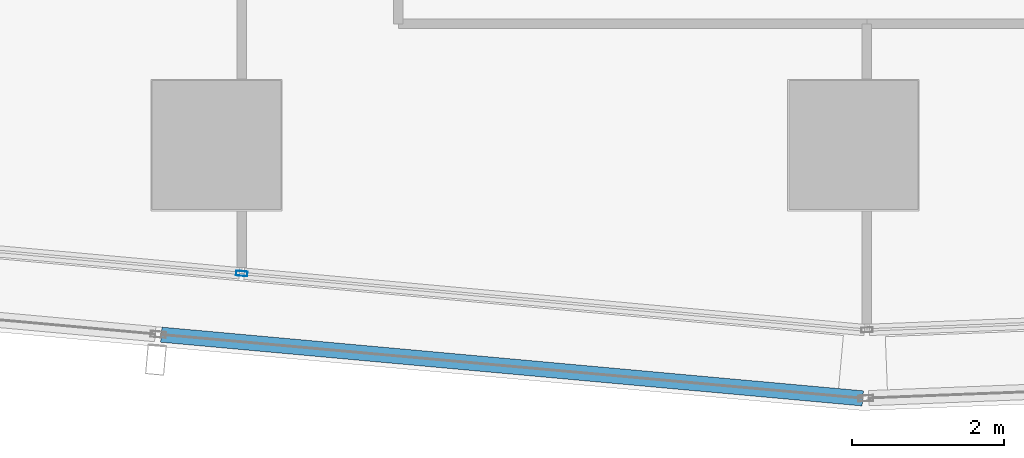
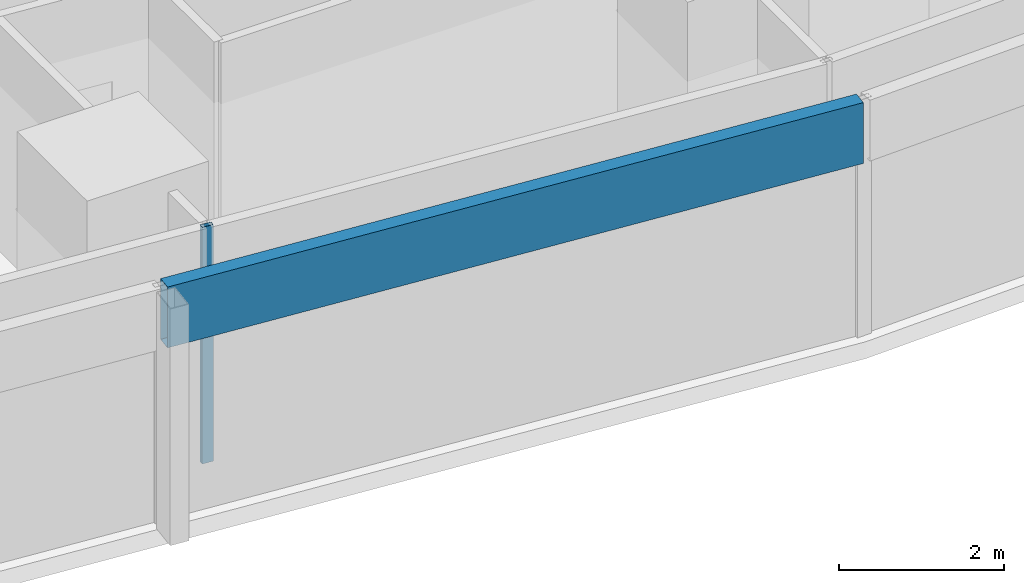
# One storey, part 3 of 40: 2 members, 2 elements without a shape of their own.
"""IFC4 building model written with IfcOpenShell, lengths in metres."""

from ifc_helpers import new_model, si_unit, direction, frame, origin, origin_2d, place, context, subcontext, project, spatial, hollow_rectangle, extrude, material, material_profile, profile_set, type_object, element, aggregate, save


model = new_model("IFC4")

# Units and contexts
model_context = context("Model", 3, precision=1e-05, world=origin(), true_north=direction((0.0, 1.0)))
body_context = subcontext(model_context, "Body", "Model", "MODEL_VIEW")
ifc_project = project(units=[si_unit("LENGTHUNIT", "METRE"), si_unit("AREAUNIT", "SQUARE_METRE"), si_unit("VOLUMEUNIT", "CUBIC_METRE"), si_unit("PLANEANGLEUNIT", "RADIAN"), si_unit("MASSUNIT", "GRAM", prefix="KILO")], contexts=[model_context])

# Site, building, storey
site_placement = place(None, origin())
site = spatial("IfcSite", under=ifc_project, at=site_placement, CompositionType="ELEMENT")
building_placement = place(site_placement, origin())
building = spatial("IfcBuilding", under=site, at=building_placement, Name="Rekha Terrace Tower", CompositionType="ELEMENT")
storey_placement = place(building_placement, frame((0.0, 0.0, 136.550048828125)))
storey = spatial("IfcBuildingStorey", under=building, at=storey_placement, Name="L34", CompositionType="ELEMENT", Elevation=136.550048828125)

# Curtain wall, member
ifc_material_1 = material(Name="Aluminium framing", Category="aluminium")
curtain_wall_type_1 = type_object("IfcCurtainWallType", Name="CW1 double skin inner glazing", PredefinedType="USERDEFINED", material=ifc_material_1)
curtain_wall_1_placement = place(storey_placement, origin())
curtain_wall_1 = element("IfcCurtainWall", 1, at=curtain_wall_1_placement, inside=storey, type_object=curtain_wall_type_1, Name="CW1 double skin inner glazing", ObjectType="DOUBLE SKIN INNER GLAZING", PredefinedType="USERDEFINED")
ifc_material_2 = material(Name="Aluminium mullion section", Category="aluminium")
ifc_material_profile_1 = material_profile(ifc_material_2, hollow_rectangle(XDim=0.06494140625, YDim=0.14990234375, WallThickness=0.00390625, at=origin_2d()), Name="AL RHS 65x150")
ifc_profile_set_1 = profile_set([ifc_material_profile_1], Name="Aluminium mullion section")
member_type_1 = type_object("IfcMemberType", Name="CW1 mullion RHS 65 x 150", PredefinedType="MULLION", material=ifc_profile_set_1)
member_1_placement = place(storey_placement, frame((17.13427734375, 15.107666015625, 0.0), z_axis=(0.0, 0.0, 1.0), x_axis=(0.090439811381, 0.995901923142, 0.0)))
member_1 = element("IfcMember", 2, at=member_1_placement, type_object=member_type_1, Name="CW1 mullion 2", PredefinedType="MULLION", context=body_context, shape_type="SweptSolid", body=[
    extrude(hollow_rectangle(XDim=0.06494140625, YDim=0.14990234375, WallThickness=0.00390625, at=origin_2d()), origin(), (0.0, 0.0, 1.0), 3.5),
])
aggregate(curtain_wall_1, [member_1])

curtain_wall_type_2 = type_object("IfcCurtainWallType", Name="CW2 double skin outer glazing", PredefinedType="USERDEFINED", material=ifc_material_1)
curtain_wall_2_placement = place(storey_placement, origin())
curtain_wall_2 = element("IfcCurtainWall", 3, at=curtain_wall_2_placement, inside=storey, type_object=curtain_wall_type_2, Name="CW2 double skin outer glazing", ObjectType="DOUBLE SKIN OUTER GLAZING", PredefinedType="USERDEFINED")
ifc_material_3 = material(Name="Insulated aluminium spandrel box", Category="aluminium")
ifc_material_profile_2 = material_profile(ifc_material_3, hollow_rectangle(XDim=0.199951171875, YDim=0.89990234375, WallThickness=0.0029296875, at=origin_2d()), Name="AL SPANDREL BOX 200x900")
ifc_profile_set_2 = profile_set([ifc_material_profile_2], Name="Insulated aluminium spandrel box")
member_type_2 = type_object("IfcMemberType", Name="CW2 spandrel transom 200 x 900", PredefinedType="USERDEFINED", material=ifc_profile_set_2)
member_2_placement = place(storey_placement, frame((16.072265625, 14.300537109375, 3.050048828125), z_axis=(0.995900527097, -0.090455182982, 0.0), x_axis=(0.090455182982, 0.995900527097, 0.0)))
member_2 = element("IfcMember", 4, at=member_2_placement, type_object=member_type_2, Name="CW2 spandrel transom 2", ObjectType="TRANSOM", PredefinedType="USERDEFINED", context=body_context, shape_type="SweptSolid", body=[
    extrude(hollow_rectangle(XDim=0.199951171875, YDim=0.89990234375, WallThickness=0.0029296875, at=origin_2d()), origin(), (0.0, 0.0, 1.0), 9.2900390625),
])
aggregate(curtain_wall_2, [member_2])

save(model, "model.ifc")
